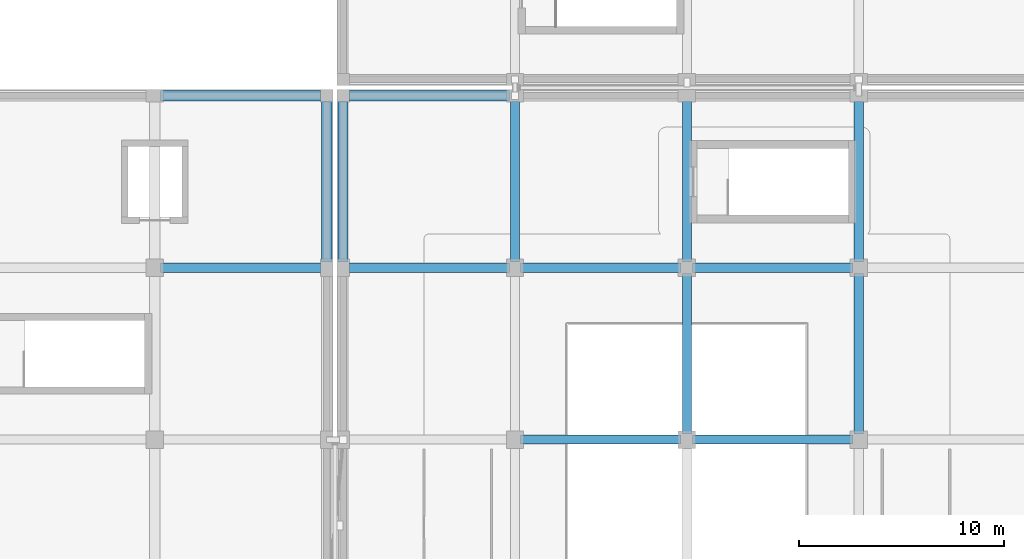
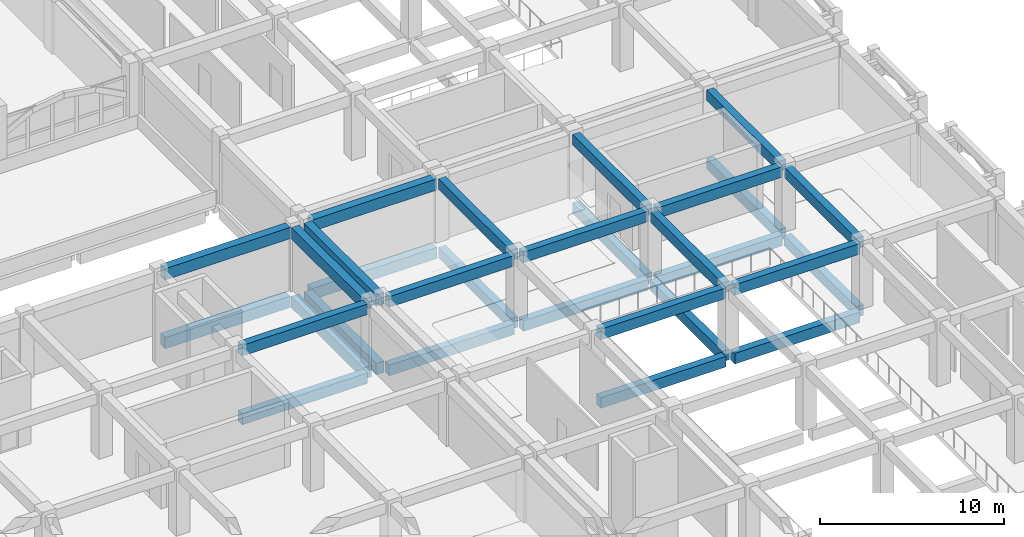
# One storey, part 35 of 129: 30 beams.
"""IFC4 building model written with IfcOpenShell, lengths in metres."""

from ifc_helpers import new_model, si_unit, direction, frame, origin, origin_2d, place, context, subcontext, project, spatial, rectangle, extrude, material, material_profile, profile_set, type_object, element, save


model = new_model("IFC4")

# Units and contexts
model_context = context("Model", 3, precision=1e-05, world=origin(), true_north=direction((0.0, 1.0)))
body_context = subcontext(model_context, "Body", "Model", "MODEL_VIEW")
ifc_project = project(units=[si_unit("LENGTHUNIT", "METRE"), si_unit("AREAUNIT", "SQUARE_METRE"), si_unit("VOLUMEUNIT", "CUBIC_METRE"), si_unit("PLANEANGLEUNIT", "RADIAN"), si_unit("MASSUNIT", "GRAM", prefix="KILO")], contexts=[model_context])

# Site, building, storey
site_placement = place(None, origin())
site = spatial("IfcSite", under=ifc_project, at=site_placement, CompositionType="ELEMENT")
building_placement = place(site_placement, origin())
building = spatial("IfcBuilding", under=site, at=building_placement, Name="Xazarin Passage Department Store", CompositionType="ELEMENT")
storey_placement = place(building_placement, frame((0.0, 0.0, 9.89990234375)))
storey = spatial("IfcBuildingStorey", under=building, at=storey_placement, Name="L02", CompositionType="ELEMENT", Elevation=9.89990234375)

# Beams
ifc_material = material(Name="Concrete C35/45", Category="concrete")
ifc_material_profile_1 = material_profile(ifc_material, rectangle(XDim=0.449951171875, YDim=0.699951171875, at=origin_2d()), Name="RC 450x700")
ifc_profile_set_1 = profile_set([ifc_material_profile_1], Name="Concrete C35/45")
beam_type_1 = type_object("IfcBeamType", Name="STR-BM-G450x700", PredefinedType="BEAM", material=ifc_profile_set_1)
beam_1_placement = place(storey_placement, frame((76.679931640625, 33.60009765625, -0.64990234375), z_axis=(1.0, 0.0, 0.0), x_axis=(0.0, 1.0, 0.0)))
element("IfcBeam", 1, at=beam_1_placement, inside=storey, type_object=beam_type_1, Name="L02 Grid Beam E/11-12", PredefinedType="BEAM", context=body_context, shape_type="SweptSolid", body=[
    extrude(rectangle(XDim=0.449951171875, YDim=0.699951171875, at=origin_2d()), origin(), (0.0, 0.0, 1.0), 7.840087890625),
])
beam_2_placement = place(storey_placement, frame((85.080078125, 33.60009765625, -0.64990234375), z_axis=(1.0, 0.0, 0.0), x_axis=(0.0, 1.0, 0.0)))
element("IfcBeam", 2, at=beam_2_placement, inside=storey, type_object=beam_type_1, Name="L02 Grid Beam E/12-13", PredefinedType="BEAM", context=body_context, shape_type="SweptSolid", body=[
    extrude(rectangle(XDim=0.449951171875, YDim=0.699951171875, at=origin_2d()), origin(), (0.0, 0.0, 1.0), 7.83984375),
])
for number, where, z_axis, x_axis, name in (
    (3, (68.280029296875, 42.0, -0.64990234375), (1.0, 0.0, 0.0), (0.0, 1.0, 0.0), "L02 Grid Beam F/10-11"),
    (4, (76.679931640625, 42.0, -0.64990234375), (1.0, 0.0, 0.0), (0.0, 1.0, 0.0), "L02 Grid Beam F/11-12"),
):
    element("IfcBeam", number, at=place(storey_placement, frame(where, z_axis=z_axis, x_axis=x_axis)), inside=storey, type_object=beam_type_1, Name=name, PredefinedType="BEAM", context=body_context, shape_type="SweptSolid", body=[
        extrude(rectangle(XDim=0.449951171875, YDim=0.699951171875, at=origin_2d()), origin(), (0.0, 0.0, 1.0), 7.840087890625),
    ])
beam_3_placement = place(storey_placement, frame((85.080078125, 42.0, -0.64990234375), z_axis=(1.0, 0.0, 0.0), x_axis=(0.0, 1.0, 0.0)))
element("IfcBeam", 5, at=beam_3_placement, inside=storey, type_object=beam_type_1, Name="L02 Grid Beam F/12-13", PredefinedType="BEAM", context=body_context, shape_type="SweptSolid", body=[
    extrude(rectangle(XDim=0.449951171875, YDim=0.699951171875, at=origin_2d()), origin(), (0.0, 0.0, 1.0), 7.83984375),
])
for number, where, z_axis, x_axis, name in (
    (6, (76.39990234375, 42.280029296875, -0.64990234375), (0.0, 1.0, 0.0), (-1.0, 0.0, 0.0), "L02 Grid Beam 11/F-G"),
    (7, (84.800048828125, 33.8798828125, -0.64990234375), (0.0, 1.0, 0.0), (-1.0, 0.0, 0.0), "L02 Grid Beam 12/E-F"),
    (8, (84.800048828125, 42.280029296875, -0.64990234375), (0.0, 1.0, 0.0), (-1.0, 0.0, 0.0), "L02 Grid Beam 12/F-G"),
    (9, (93.199951171875, 33.8798828125, -0.64990234375), (0.0, 1.0, 0.0), (-1.0, 0.0, 0.0), "L02 Grid Beam 13/E-F"),
    (10, (93.199951171875, 42.280029296875, -0.64990234375), (0.0, 1.0, 0.0), (-1.0, 0.0, 0.0), "L02 Grid Beam 13/F-G"),
    (11, (76.679931640625, 33.60009765625, 3.89013671875), (1.0, 0.0, 0.0), (0.0, 1.0, 0.0), "L02 Grid Beam E/11-12"),
):
    element("IfcBeam", number, at=place(storey_placement, frame(where, z_axis=z_axis, x_axis=x_axis)), inside=storey, type_object=beam_type_1, Name=name, PredefinedType="BEAM", context=body_context, shape_type="SweptSolid", body=[
        extrude(rectangle(XDim=0.449951171875, YDim=0.699951171875, at=origin_2d()), origin(), (0.0, 0.0, 1.0), 7.840087890625),
    ])
beam_4_placement = place(storey_placement, frame((85.080078125, 33.60009765625, 3.89013671875), z_axis=(1.0, 0.0, 0.0), x_axis=(0.0, 1.0, 0.0)))
element("IfcBeam", 12, at=beam_4_placement, inside=storey, type_object=beam_type_1, Name="L02 Grid Beam E/12-13", PredefinedType="BEAM", context=body_context, shape_type="SweptSolid", body=[
    extrude(rectangle(XDim=0.449951171875, YDim=0.699951171875, at=origin_2d()), origin(), (0.0, 0.0, 1.0), 7.83984375),
])
for number, where, z_axis, x_axis, name in (
    (13, (68.280029296875, 42.0, 3.89013671875), (1.0, 0.0, 0.0), (0.0, 1.0, 0.0), "L02 Grid Beam F/10-11"),
    (14, (76.679931640625, 42.0, 3.89013671875), (1.0, 0.0, 0.0), (0.0, 1.0, 0.0), "L02 Grid Beam F/11-12"),
):
    element("IfcBeam", number, at=place(storey_placement, frame(where, z_axis=z_axis, x_axis=x_axis)), inside=storey, type_object=beam_type_1, Name=name, PredefinedType="BEAM", context=body_context, shape_type="SweptSolid", body=[
        extrude(rectangle(XDim=0.449951171875, YDim=0.699951171875, at=origin_2d()), origin(), (0.0, 0.0, 1.0), 7.840087890625),
    ])
beam_5_placement = place(storey_placement, frame((85.080078125, 42.0, 3.89013671875), z_axis=(1.0, 0.0, 0.0), x_axis=(0.0, 1.0, 0.0)))
element("IfcBeam", 15, at=beam_5_placement, inside=storey, type_object=beam_type_1, Name="L02 Grid Beam F/12-13", PredefinedType="BEAM", context=body_context, shape_type="SweptSolid", body=[
    extrude(rectangle(XDim=0.449951171875, YDim=0.699951171875, at=origin_2d()), origin(), (0.0, 0.0, 1.0), 7.83984375),
])
for number, where, z_axis, x_axis, name in (
    (16, (76.39990234375, 42.280029296875, 3.89013671875), (0.0, 1.0, 0.0), (-1.0, 0.0, 0.0), "L02 Grid Beam 11/F-G"),
    (17, (84.800048828125, 33.8798828125, 3.89013671875), (0.0, 1.0, 0.0), (-1.0, 0.0, 0.0), "L02 Grid Beam 12/E-F"),
    (18, (84.800048828125, 42.280029296875, 3.89013671875), (0.0, 1.0, 0.0), (-1.0, 0.0, 0.0), "L02 Grid Beam 12/F-G"),
    (19, (93.199951171875, 33.8798828125, 3.89013671875), (0.0, 1.0, 0.0), (-1.0, 0.0, 0.0), "L02 Grid Beam 13/E-F"),
    (20, (93.199951171875, 42.280029296875, 3.89013671875), (0.0, 1.0, 0.0), (-1.0, 0.0, 0.0), "L02 Grid Beam 13/F-G"),
):
    element("IfcBeam", number, at=place(storey_placement, frame(where, z_axis=z_axis, x_axis=x_axis)), inside=storey, type_object=beam_type_1, Name=name, PredefinedType="BEAM", context=body_context, shape_type="SweptSolid", body=[
        extrude(rectangle(XDim=0.449951171875, YDim=0.699951171875, at=origin_2d()), origin(), (0.0, 0.0, 1.0), 7.840087890625),
    ])
for number, where, z_axis, x_axis, name in (
    (21, (59.080078125, 42.0, -0.669921875), (1.0, 0.0, 0.0), (0.0, 1.0, 0.0), "L02 Grid Beam F/8-9"),
    (22, (59.080078125, 42.0, 3.89013671875), (1.0, 0.0, 0.0), (0.0, 1.0, 0.0), "L02 Grid Beam F/8-9"),
):
    element("IfcBeam", number, at=place(storey_placement, frame(where, z_axis=z_axis, x_axis=x_axis)), inside=storey, type_object=beam_type_1, Name=name, PredefinedType="BEAM", context=body_context, shape_type="SweptSolid", body=[
        extrude(rectangle(XDim=0.449951171875, YDim=0.699951171875, at=origin_2d()), origin(), (0.0, 0.0, 1.0), 7.83984375),
    ])
ifc_material_profile_2 = material_profile(ifc_material, rectangle(XDim=0.5, YDim=0.75, at=origin_2d()), Name="RC 500x750")
ifc_profile_set_2 = profile_set([ifc_material_profile_2], Name="Concrete C35/45")
beam_type_2 = type_object("IfcBeamType", Name="STR-BM-SP500x750", PredefinedType="SPANDREL", material=ifc_profile_set_2)
for number, where, z_axis, x_axis, name in (
    (23, (68.280029296875, 50.39990234375, -0.6748046875), (1.0, 0.0, 0.0), (0.0, 1.0, 0.0), "L02 Grid Beam G/10-11"),
    (24, (68.0, 42.280029296875, -0.6748046875), (0.0, 1.0, 0.0), (-1.0, 0.0, 0.0), "L02 Grid Beam 10/F-G"),
    (25, (68.280029296875, 50.39990234375, 3.864990234375), (1.0, 0.0, 0.0), (0.0, 1.0, 0.0), "L02 Grid Beam G/10-11"),
    (26, (68.0, 42.280029296875, 3.864990234375), (0.0, 1.0, 0.0), (-1.0, 0.0, 0.0), "L02 Grid Beam 10/F-G"),
):
    element("IfcBeam", number, at=place(storey_placement, frame(where, z_axis=z_axis, x_axis=x_axis)), inside=storey, type_object=beam_type_2, Name=name, PredefinedType="SPANDREL", context=body_context, shape_type="SweptSolid", body=[
        extrude(rectangle(XDim=0.5, YDim=0.75, at=origin_2d()), origin(), (0.0, 0.0, 1.0), 7.840087890625),
    ])
beam_6_placement = place(storey_placement, frame((59.080078125, 50.39990234375, -0.69482421875), z_axis=(1.0, 0.0, 0.0), x_axis=(0.0, 1.0, 0.0)))
element("IfcBeam", 27, at=beam_6_placement, inside=storey, type_object=beam_type_2, Name="L02 Grid Beam G/8-9", PredefinedType="SPANDREL", context=body_context, shape_type="SweptSolid", body=[
    extrude(rectangle(XDim=0.5, YDim=0.75, at=origin_2d()), origin(), (0.0, 0.0, 1.0), 7.83984375),
])
beam_7_placement = place(storey_placement, frame((67.199951171875, 42.280029296875, -0.69482421875), z_axis=(0.0, 1.0, 0.0), x_axis=(-1.0, 0.0, 0.0)))
element("IfcBeam", 28, at=beam_7_placement, inside=storey, type_object=beam_type_2, Name="L02 Grid Beam 9/F-G", PredefinedType="SPANDREL", context=body_context, shape_type="SweptSolid", body=[
    extrude(rectangle(XDim=0.5, YDim=0.75, at=origin_2d()), origin(), (0.0, 0.0, 1.0), 7.840087890625),
])
beam_8_placement = place(storey_placement, frame((59.080078125, 50.39990234375, 3.864990234375), z_axis=(1.0, 0.0, 0.0), x_axis=(0.0, 1.0, 0.0)))
element("IfcBeam", 29, at=beam_8_placement, inside=storey, type_object=beam_type_2, Name="L02 Grid Beam G/8-9", PredefinedType="SPANDREL", context=body_context, shape_type="SweptSolid", body=[
    extrude(rectangle(XDim=0.5, YDim=0.75, at=origin_2d()), origin(), (0.0, 0.0, 1.0), 7.83984375),
])
beam_9_placement = place(storey_placement, frame((67.199951171875, 42.280029296875, 3.864990234375), z_axis=(0.0, 1.0, 0.0), x_axis=(-1.0, 0.0, 0.0)))
element("IfcBeam", 30, at=beam_9_placement, inside=storey, type_object=beam_type_2, Name="L02 Grid Beam 9/F-G", PredefinedType="SPANDREL", context=body_context, shape_type="SweptSolid", body=[
    extrude(rectangle(XDim=0.5, YDim=0.75, at=origin_2d()), origin(), (0.0, 0.0, 1.0), 7.840087890625),
])

save(model, "model.ifc")
